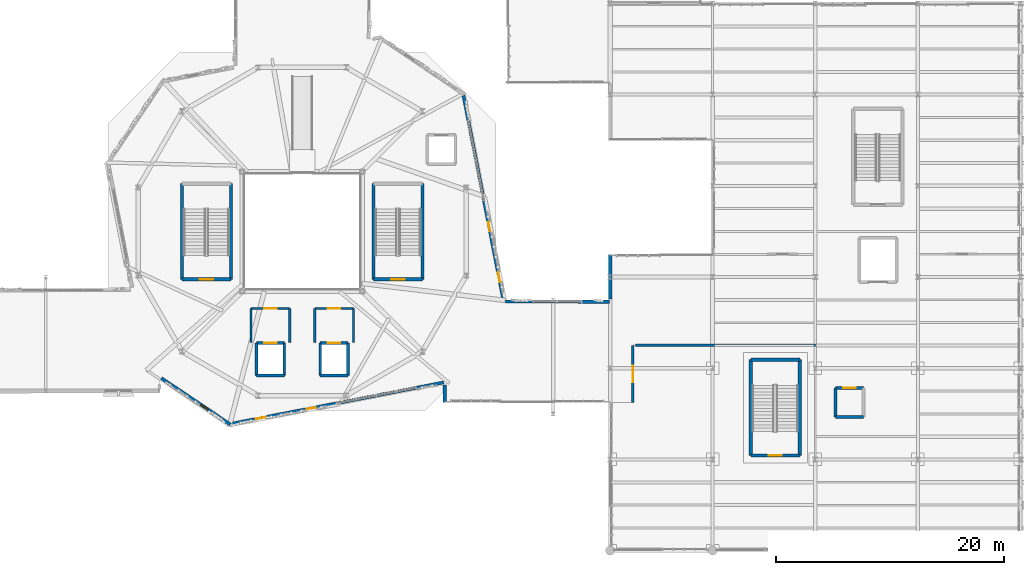
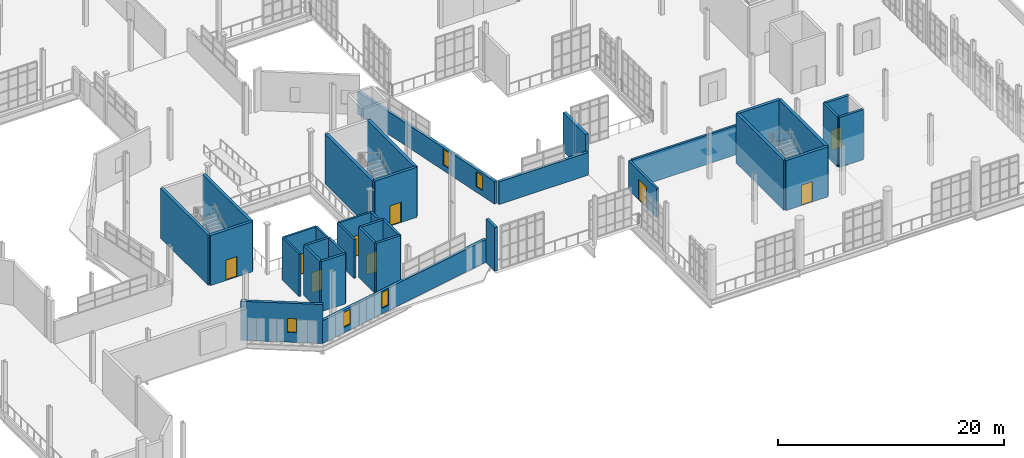
# One storey, part 123 of 142: 35 walls, 9 doors, 5 windows, 14 openings.
"""IFC4 building model written with IfcOpenShell, lengths in metres."""

from ifc_helpers import new_model, si_unit, direction, frame, frame_2d, origin, place, context, subcontext, project, spatial, rectangle, extrude, material, layer, layer_set, type_object, element, fill, save


model = new_model("IFC4")

# Units and contexts
model_context = context("Model", 3, precision=1e-05, world=origin(), true_north=direction((0.0, 1.0)))
body_context = subcontext(model_context, "Body", "Model", "MODEL_VIEW")
ifc_project = project(units=[si_unit("LENGTHUNIT", "METRE"), si_unit("AREAUNIT", "SQUARE_METRE"), si_unit("VOLUMEUNIT", "CUBIC_METRE"), si_unit("PLANEANGLEUNIT", "RADIAN"), si_unit("MASSUNIT", "GRAM", prefix="KILO"), si_unit("THERMODYNAMICTEMPERATUREUNIT", "KELVIN"), si_unit("POWERUNIT", "WATT")], contexts=[model_context])

# Site, building, storey
site_placement = place(None, origin())
site = spatial("IfcSite", under=ifc_project, at=site_placement, CompositionType="ELEMENT")
building_placement = place(site_placement, origin())
building = spatial("IfcBuilding", under=site, at=building_placement, Name="Zelmaris Science Centre", CompositionType="ELEMENT")
storey_placement = place(building_placement, frame((0.0, 0.0, 5.39990234375)))
storey = spatial("IfcBuildingStorey", under=building, at=storey_placement, Name="L01", CompositionType="ELEMENT", Elevation=5.39990234375)

# Wall, opening, door
ifc_material_1 = material(Name="Concrete C40/50", Category="concrete")
ifc_layer_1 = layer(ifc_material_1, 0.300048828125, Name="Concrete C40/50")
ifc_layer_set_1 = layer_set([ifc_layer_1], Name="Concrete C40/50")
wall_type_1 = type_object("IfcWallType", Name="Core Shear Wall CW-S1 300mm", PredefinedType="SOLIDWALL", material=ifc_layer_set_1)
wall_1_placement = place(storey_placement, frame((74.75, 31.800048828125, 0.0), z_axis=(0.0, 0.0, 1.0), x_axis=(-1.0, 0.0, 0.0)))
wall_1 = element("IfcWall", 1, at=wall_1_placement, inside=storey, type_object=wall_type_1, Name="L01 ST-1 core shear wall near", PredefinedType="SOLIDWALL", context=body_context, shape_type="SweptSolid", body=[
    extrude(rectangle(XDim=4.300048828125, YDim=0.300048828125, at=frame_2d((2.14990234375, 0.0))), origin(), (0.0, 0.0, 1.0), 5.400146484375),
])
opening_1_placement = place(wall_1_placement, frame((1.574951171875, 0.0, 0.0)))
opening_1 = element("IfcOpeningElement", 2, at=opening_1_placement, cuts=wall_1, Name="Opening D-FD90", PredefinedType="OPENING", context=body_context, shape_type="SweptSolid", body=[
    extrude(rectangle(XDim=1.14990234375, YDim=2.199951171875, at=frame_2d((0.574951171875, 1.10009765625))), frame((0.0, 0.159912109375, 0.0), z_axis=(0.0, -1.0, 0.0), x_axis=(1.0, 0.0, 0.0)), (0.0, 0.0, 1.0), 0.320068359375),
])
ifc_material_2 = material(Name="Steel ASTM A36", Category="steel")
door_type_1 = type_object("IfcDoorType", Name="Interior Door D-FD90 1150x2200", OperationType="NOTDEFINED", PredefinedType="DOOR", material=ifc_material_2)
door_1_placement = place(opening_1_placement, origin())
door_1 = element("IfcDoor", 3, at=door_1_placement, inside=storey, type_object=door_type_1, Name="L01 ST-1 exit stair fire door", OperationType="SINGLE_SWING_LEFT", OverallHeight=2.199951171875, OverallWidth=1.14990234375, PredefinedType="DOOR", context=body_context, shape_type="SweptSolid", body=[
    extrude(rectangle(XDim=1.14990234375, YDim=2.199951171875, at=frame_2d((0.574951171875, 1.10009765625))), frame((0.0, 0.02490234375, 0.0), z_axis=(0.0, -1.0, 0.0), x_axis=(1.0, 0.0, 0.0)), (0.0, 0.0, 1.0), 0.050048828125),
])
fill(opening_1, door_1)

# Walls
for number, where, z_axis, x_axis, name in (
    (4, (74.75, 31.800048828125, 0.0), (0.0, 0.0, 1.0), (0.0, 1.0, 0.0), "L01 ST-1 core shear wall east"),
    (5, (70.449951171875, 31.800048828125, 0.0), (0.0, 0.0, 1.0), (0.0, 1.0, 0.0), "L01 ST-1 core shear wall west"),
):
    element("IfcWall", number, at=place(storey_placement, frame(where, z_axis=z_axis, x_axis=x_axis)), inside=storey, type_object=wall_type_1, Name=name, PredefinedType="SOLIDWALL", context=body_context, shape_type="SweptSolid", body=[
        extrude(rectangle(XDim=8.39990234375, YDim=0.300048828125, at=frame_2d((4.199951171875, 0.0))), origin(), (0.0, 0.0, 1.0), 5.400146484375),
    ])

# Wall, opening, door
wall_2_placement = place(storey_placement, frame((91.550048828125, 31.800048828125, 0.0), z_axis=(0.0, 0.0, 1.0), x_axis=(-1.0, 0.0, 0.0)))
wall_2 = element("IfcWall", 6, at=wall_2_placement, inside=storey, type_object=wall_type_1, Name="L01 ST-2 core shear wall near", PredefinedType="SOLIDWALL", context=body_context, shape_type="SweptSolid", body=[
    extrude(rectangle(XDim=4.300048828125, YDim=0.300048828125, at=frame_2d((2.14990234375, 0.0))), origin(), (0.0, 0.0, 1.0), 5.400146484375),
])
opening_2_placement = place(wall_2_placement, frame((1.574951171875, 0.0, 0.0)))
opening_2 = element("IfcOpeningElement", 7, at=opening_2_placement, cuts=wall_2, Name="Opening D-FD90", PredefinedType="OPENING", context=body_context, shape_type="SweptSolid", body=[
    extrude(rectangle(XDim=1.14990234375, YDim=2.199951171875, at=frame_2d((0.574951171875, 1.10009765625))), frame((0.0, 0.159912109375, 0.0), z_axis=(0.0, -1.0, 0.0), x_axis=(1.0, 0.0, 0.0)), (0.0, 0.0, 1.0), 0.320068359375),
])
door_2_placement = place(opening_2_placement, origin())
door_2 = element("IfcDoor", 8, at=door_2_placement, inside=storey, type_object=door_type_1, Name="L01 ST-2 exit stair fire door", OperationType="SINGLE_SWING_RIGHT", OverallHeight=2.199951171875, OverallWidth=1.14990234375, PredefinedType="DOOR", context=body_context, shape_type="SweptSolid", body=[
    extrude(rectangle(XDim=1.14990234375, YDim=2.199951171875, at=frame_2d((0.574951171875, 1.10009765625))), frame((0.0, 0.02490234375, 0.0), z_axis=(0.0, -1.0, 0.0), x_axis=(1.0, 0.0, 0.0)), (0.0, 0.0, 1.0), 0.050048828125),
])
fill(opening_2, door_2)

# Walls
for number, where, z_axis, x_axis, name in (
    (9, (91.550048828125, 31.800048828125, 0.0), (0.0, 0.0, 1.0), (0.0, 1.0, 0.0), "L01 ST-2 core shear wall east"),
    (10, (87.25, 31.800048828125, 0.0), (0.0, 0.0, 1.0), (0.0, 1.0, 0.0), "L01 ST-2 core shear wall west"),
):
    element("IfcWall", number, at=place(storey_placement, frame(where, z_axis=z_axis, x_axis=x_axis)), inside=storey, type_object=wall_type_1, Name=name, PredefinedType="SOLIDWALL", context=body_context, shape_type="SweptSolid", body=[
        extrude(rectangle(XDim=8.39990234375, YDim=0.300048828125, at=frame_2d((4.199951171875, 0.0))), origin(), (0.0, 0.0, 1.0), 5.400146484375),
    ])

# Wall, opening, door
wall_3_placement = place(storey_placement, frame((124.64990234375, 16.35009765625, 0.0), z_axis=(0.0, 0.0, 1.0), x_axis=(-1.0, 0.0, 0.0)))
wall_3 = element("IfcWall", 11, at=wall_3_placement, inside=storey, type_object=wall_type_1, Name="L01 ST-4 core shear wall near", PredefinedType="SOLIDWALL", context=body_context, shape_type="SweptSolid", body=[
    extrude(rectangle(XDim=4.2998046875, YDim=0.300048828125, at=frame_2d((2.14990234375, 0.0))), origin(), (0.0, 0.0, 1.0), 5.400146484375),
])
opening_3_placement = place(wall_3_placement, frame((1.574951171875, 0.0, 0.0)))
opening_3 = element("IfcOpeningElement", 12, at=opening_3_placement, cuts=wall_3, Name="Opening D-FD90", PredefinedType="OPENING", context=body_context, shape_type="SweptSolid", body=[
    extrude(rectangle(XDim=1.14990234375, YDim=2.199951171875, at=frame_2d((0.574951171875, 1.10009765625))), frame((0.0, 0.159912109375, 0.0), z_axis=(0.0, -1.0, 0.0), x_axis=(1.0, 0.0, 0.0)), (0.0, 0.0, 1.0), 0.320068359375),
])
door_3_placement = place(opening_3_placement, origin())
door_3 = element("IfcDoor", 13, at=door_3_placement, inside=storey, type_object=door_type_1, Name="L01 ST-4 exit stair fire door", OperationType="SINGLE_SWING_RIGHT", OverallHeight=2.199951171875, OverallWidth=1.14990234375, PredefinedType="DOOR", context=body_context, shape_type="SweptSolid", body=[
    extrude(rectangle(XDim=1.14990234375, YDim=2.199951171875, at=frame_2d((0.574951171875, 1.10009765625))), frame((0.0, 0.02490234375, 0.0), z_axis=(0.0, -1.0, 0.0), x_axis=(1.0, 0.0, 0.0)), (0.0, 0.0, 1.0), 0.050048828125),
])
fill(opening_3, door_3)

# Walls
wall_4_placement = place(storey_placement, frame((124.64990234375, 16.35009765625, 0.0), z_axis=(0.0, 0.0, 1.0), x_axis=(0.0, 1.0, 0.0)))
element("IfcWall", 14, at=wall_4_placement, inside=storey, type_object=wall_type_1, Name="L01 ST-4 core shear wall east", PredefinedType="SOLIDWALL", context=body_context, shape_type="SweptSolid", body=[
    extrude(rectangle(XDim=8.39990234375, YDim=0.300048828125, at=frame_2d((4.199951171875, 0.0))), origin(), (0.0, 0.0, 1.0), 5.400146484375),
])
wall_5_placement = place(storey_placement, frame((124.64990234375, 24.75, 0.0), z_axis=(0.0, 0.0, 1.0), x_axis=(-1.0, 0.0, 0.0)))
element("IfcWall", 15, at=wall_5_placement, inside=storey, type_object=wall_type_1, Name="L01 ST-4 core shear wall far", PredefinedType="SOLIDWALL", context=body_context, shape_type="SweptSolid", body=[
    extrude(rectangle(XDim=4.2998046875, YDim=0.300048828125, at=frame_2d((2.14990234375, 0.0))), origin(), (0.0, 0.0, 1.0), 5.400146484375),
])
wall_6_placement = place(storey_placement, frame((120.35009765625, 16.35009765625, 0.0), z_axis=(0.0, 0.0, 1.0), x_axis=(0.0, 1.0, 0.0)))
element("IfcWall", 16, at=wall_6_placement, inside=storey, type_object=wall_type_1, Name="L01 ST-4 core shear wall west", PredefinedType="SOLIDWALL", context=body_context, shape_type="SweptSolid", body=[
    extrude(rectangle(XDim=8.39990234375, YDim=0.300048828125, at=frame_2d((4.199951171875, 0.0))), origin(), (0.0, 0.0, 1.0), 5.400146484375),
])
ifc_layer_2 = layer(ifc_material_1, 0.25, Name="Concrete C40/50")
ifc_layer_set_2 = layer_set([ifc_layer_2], Name="Concrete C40/50")
wall_type_2 = type_object("IfcWallType", Name="Core Shear Wall CW-S2 250mm", PredefinedType="SOLIDWALL", material=ifc_layer_set_2)
wall_7_placement = place(storey_placement, frame((76.97509765625, 23.375, 0.0), z_axis=(0.0, 0.0, 1.0), x_axis=(1.0, 0.0, 0.0)))
element("IfcWall", 17, at=wall_7_placement, inside=storey, type_object=wall_type_2, Name="L01 FL-01 lift shaft wall -y", PredefinedType="SOLIDWALL", context=body_context, shape_type="SweptSolid", body=[
    extrude(rectangle(XDim=2.449951171875, YDim=0.25, at=frame_2d((1.22509765625, 0.0))), origin(), (0.0, 0.0, 1.0), 5.400146484375),
])
wall_8_placement = place(storey_placement, frame((79.425048828125, 23.375, 0.0), z_axis=(0.0, 0.0, 1.0), x_axis=(0.0, 1.0, 0.0)))
element("IfcWall", 18, at=wall_8_placement, inside=storey, type_object=wall_type_2, Name="L01 FL-01 lift shaft wall +x", PredefinedType="SOLIDWALL", context=body_context, shape_type="SweptSolid", body=[
    extrude(rectangle(XDim=2.85009765625, YDim=0.25, at=frame_2d((1.425048828125, 0.0))), origin(), (0.0, 0.0, 1.0), 5.400146484375),
])

# Wall, opening, door
wall_9_placement = place(storey_placement, frame((79.425048828125, 26.22509765625, 0.0), z_axis=(0.0, 0.0, 1.0), x_axis=(-1.0, 0.0, 0.0)))
wall_9 = element("IfcWall", 19, at=wall_9_placement, inside=storey, type_object=wall_type_2, Name="L01 FL-01 lift shaft wall +y", PredefinedType="SOLIDWALL", context=body_context, shape_type="SweptSolid", body=[
    extrude(rectangle(XDim=2.449951171875, YDim=0.25, at=frame_2d((1.22509765625, 0.0))), origin(), (0.0, 0.0, 1.0), 5.400146484375),
])
opening_4_placement = place(wall_9_placement, frame((0.675048828125, 0.0, 0.0)))
opening_4 = element("IfcOpeningElement", 20, at=opening_4_placement, cuts=wall_9, Name="Opening LD-01", PredefinedType="OPENING", context=body_context, shape_type="SweptSolid", body=[
    extrude(rectangle(XDim=1.10009765625, YDim=2.199951171875, at=frame_2d((0.550048828125, 1.10009765625))), frame((0.0, 0.135009765625, 0.0), z_axis=(0.0, -1.0, 0.0), x_axis=(1.0, 0.0, 0.0)), (0.0, 0.0, 1.0), 0.27001953125),
])
door_type_2 = type_object("IfcDoorType", Name="Interior Door LD-01 1100x2200", OperationType="SLIDING_TO_LEFT", PredefinedType="DOOR", material=ifc_material_2)
door_4_placement = place(opening_4_placement, origin())
door_4 = element("IfcDoor", 21, at=door_4_placement, inside=storey, type_object=door_type_2, Name="Landing door LD-FL-01-L01", OperationType="SLIDING_TO_LEFT", OverallHeight=2.199951171875, OverallWidth=1.10009765625, PredefinedType="DOOR", context=body_context, shape_type="SweptSolid", body=[
    extrude(rectangle(XDim=1.10009765625, YDim=2.199951171875, at=frame_2d((0.550048828125, 1.10009765625))), frame((0.0, 0.02490234375, 0.0), z_axis=(0.0, -1.0, 0.0), x_axis=(1.0, 0.0, 0.0)), (0.0, 0.0, 1.0), 0.050048828125),
])
fill(opening_4, door_4)

# Walls
wall_10_placement = place(storey_placement, frame((76.97509765625, 26.22509765625, 0.0), z_axis=(0.0, 0.0, 1.0), x_axis=(0.0, -1.0, 0.0)))
element("IfcWall", 22, at=wall_10_placement, inside=storey, type_object=wall_type_2, Name="L01 FL-01 lift shaft wall -x", PredefinedType="SOLIDWALL", context=body_context, shape_type="SweptSolid", body=[
    extrude(rectangle(XDim=2.85009765625, YDim=0.25, at=frame_2d((1.425048828125, 0.0))), origin(), (0.0, 0.0, 1.0), 5.400146484375),
])
wall_11_placement = place(storey_placement, frame((82.574951171875, 23.375, 0.0), z_axis=(0.0, 0.0, 1.0), x_axis=(1.0, 0.0, 0.0)))
element("IfcWall", 23, at=wall_11_placement, inside=storey, type_object=wall_type_2, Name="L01 FL-02 lift shaft wall -y", PredefinedType="SOLIDWALL", context=body_context, shape_type="SweptSolid", body=[
    extrude(rectangle(XDim=2.449951171875, YDim=0.25, at=frame_2d((1.22509765625, 0.0))), origin(), (0.0, 0.0, 1.0), 5.400146484375),
])
wall_12_placement = place(storey_placement, frame((85.02490234375, 23.375, 0.0), z_axis=(0.0, 0.0, 1.0), x_axis=(0.0, 1.0, 0.0)))
element("IfcWall", 24, at=wall_12_placement, inside=storey, type_object=wall_type_2, Name="L01 FL-02 lift shaft wall +x", PredefinedType="SOLIDWALL", context=body_context, shape_type="SweptSolid", body=[
    extrude(rectangle(XDim=2.85009765625, YDim=0.25, at=frame_2d((1.425048828125, 0.0))), origin(), (0.0, 0.0, 1.0), 5.400146484375),
])

# Wall, opening, door
wall_13_placement = place(storey_placement, frame((85.02490234375, 26.22509765625, 0.0), z_axis=(0.0, 0.0, 1.0), x_axis=(-1.0, 0.0, 0.0)))
wall_13 = element("IfcWall", 25, at=wall_13_placement, inside=storey, type_object=wall_type_2, Name="L01 FL-02 lift shaft wall +y", PredefinedType="SOLIDWALL", context=body_context, shape_type="SweptSolid", body=[
    extrude(rectangle(XDim=2.449951171875, YDim=0.25, at=frame_2d((1.22509765625, 0.0))), origin(), (0.0, 0.0, 1.0), 5.400146484375),
])
opening_5_placement = place(wall_13_placement, frame((0.675048828125, 0.0, 0.0)))
opening_5 = element("IfcOpeningElement", 26, at=opening_5_placement, cuts=wall_13, Name="Opening LD-01", PredefinedType="OPENING", context=body_context, shape_type="SweptSolid", body=[
    extrude(rectangle(XDim=1.10009765625, YDim=2.199951171875, at=frame_2d((0.550048828125, 1.10009765625))), frame((0.0, 0.135009765625, 0.0), z_axis=(0.0, -1.0, 0.0), x_axis=(1.0, 0.0, 0.0)), (0.0, 0.0, 1.0), 0.27001953125),
])
door_5_placement = place(opening_5_placement, origin())
door_5 = element("IfcDoor", 27, at=door_5_placement, inside=storey, type_object=door_type_2, Name="Landing door LD-FL-02-L01", OperationType="SLIDING_TO_LEFT", OverallHeight=2.199951171875, OverallWidth=1.10009765625, PredefinedType="DOOR", context=body_context, shape_type="SweptSolid", body=[
    extrude(rectangle(XDim=1.10009765625, YDim=2.199951171875, at=frame_2d((0.550048828125, 1.10009765625))), frame((0.0, 0.02490234375, 0.0), z_axis=(0.0, -1.0, 0.0), x_axis=(1.0, 0.0, 0.0)), (0.0, 0.0, 1.0), 0.050048828125),
])
fill(opening_5, door_5)

# Walls
wall_14_placement = place(storey_placement, frame((82.574951171875, 26.22509765625, 0.0), z_axis=(0.0, 0.0, 1.0), x_axis=(0.0, -1.0, 0.0)))
element("IfcWall", 28, at=wall_14_placement, inside=storey, type_object=wall_type_2, Name="L01 FL-02 lift shaft wall -x", PredefinedType="SOLIDWALL", context=body_context, shape_type="SweptSolid", body=[
    extrude(rectangle(XDim=2.85009765625, YDim=0.25, at=frame_2d((1.425048828125, 0.0))), origin(), (0.0, 0.0, 1.0), 5.400146484375),
])
wall_15_placement = place(storey_placement, frame((127.77490234375, 19.72509765625, 0.0), z_axis=(0.0, 0.0, 1.0), x_axis=(1.0, 0.0, 0.0)))
element("IfcWall", 29, at=wall_15_placement, inside=storey, type_object=wall_type_2, Name="L01 LP-02 lift shaft wall -y", PredefinedType="SOLIDWALL", context=body_context, shape_type="SweptSolid", body=[
    extrude(rectangle(XDim=2.4501953125, YDim=0.25, at=frame_2d((1.22509765625, 0.0))), origin(), (0.0, 0.0, 1.0), 5.400146484375),
])

# Wall, opening, door
wall_16_placement = place(storey_placement, frame((130.22509765625, 22.27490234375, 0.0), z_axis=(0.0, 0.0, 1.0), x_axis=(-1.0, 0.0, 0.0)))
wall_16 = element("IfcWall", 30, at=wall_16_placement, inside=storey, type_object=wall_type_2, Name="L01 LP-02 lift shaft wall +y", PredefinedType="SOLIDWALL", context=body_context, shape_type="SweptSolid", body=[
    extrude(rectangle(XDim=2.4501953125, YDim=0.25, at=frame_2d((1.22509765625, 0.0))), origin(), (0.0, 0.0, 1.0), 5.400146484375),
])
opening_6_placement = place(wall_16_placement, frame((0.675048828125, 0.0, 0.0)))
opening_6 = element("IfcOpeningElement", 31, at=opening_6_placement, cuts=wall_16, Name="Opening LD-01", PredefinedType="OPENING", context=body_context, shape_type="SweptSolid", body=[
    extrude(rectangle(XDim=1.10009765625, YDim=2.199951171875, at=frame_2d((0.550048828125, 1.10009765625))), frame((0.0, 0.135009765625, 0.0), z_axis=(0.0, -1.0, 0.0), x_axis=(1.0, 0.0, 0.0)), (0.0, 0.0, 1.0), 0.27001953125),
])
door_6_placement = place(opening_6_placement, origin())
door_6 = element("IfcDoor", 32, at=door_6_placement, inside=storey, type_object=door_type_2, Name="Landing door LD-LP-02-L01", OperationType="SLIDING_TO_LEFT", OverallHeight=2.199951171875, OverallWidth=1.10009765625, PredefinedType="DOOR", context=body_context, shape_type="SweptSolid", body=[
    extrude(rectangle(XDim=1.10009765625, YDim=2.199951171875, at=frame_2d((0.550048828125, 1.10009765625))), frame((0.0, 0.02490234375, 0.0), z_axis=(0.0, -1.0, 0.0), x_axis=(1.0, 0.0, 0.0)), (0.0, 0.0, 1.0), 0.050048828125),
])
fill(opening_6, door_6)

# Walls
wall_17_placement = place(storey_placement, frame((127.77490234375, 22.27490234375, 0.0), z_axis=(0.0, 0.0, 1.0), x_axis=(0.0, -1.0, 0.0)))
element("IfcWall", 33, at=wall_17_placement, inside=storey, type_object=wall_type_2, Name="L01 LP-02 lift shaft wall -x", PredefinedType="SOLIDWALL", context=body_context, shape_type="SweptSolid", body=[
    extrude(rectangle(XDim=2.5498046875, YDim=0.25, at=frame_2d((1.27490234375, 0.0))), origin(), (0.0, 0.0, 1.0), 5.400146484375),
])
ifc_material_3 = material(Name="Precast concrete C40/50", Category="concrete")
ifc_layer_3 = layer(ifc_material_3, 0.300048828125, Name="Precast concrete C40/50")
ifc_layer_set_3 = layer_set([ifc_layer_3], Name="Precast concrete C40/50")
wall_type_3 = type_object("IfcWallType", Name="Exterior Wall EW-04 300mm", PredefinedType="SOLIDWALL", material=ifc_layer_set_3)
wall_18_placement = place(storey_placement, frame((108.0, 30.06005859375, 0.0), z_axis=(0.0, 0.0, 1.0), x_axis=(0.0, 1.0, 0.0)))
element("IfcWall", 34, at=wall_18_placement, inside=storey, type_object=wall_type_3, Name="L01 Exterior wall 59", PredefinedType="SOLIDWALL", context=body_context, shape_type="SweptSolid", body=[
    extrude(rectangle(XDim=3.93994140625, YDim=0.300048828125, at=frame_2d((1.969970703125, 0.0))), origin(), (0.0, 0.0, 1.0), 4.2041015625),
])

# Wall, openings, windows
ifc_layer_4 = layer(ifc_material_3, 0.280029296875, Name="Precast concrete C40/50")
ifc_layer_set_4 = layer_set([ifc_layer_4], Name="Precast concrete C40/50")
wall_type_4 = type_object("IfcWallType", Name="Exterior Wall EW-05 280mm", PredefinedType="SOLIDWALL", material=ifc_layer_set_4)
wall_19_placement = place(storey_placement, frame((93.40380859375, 22.7509765625, 0.0), z_axis=(0.0, 0.0, 1.0), x_axis=(-0.981629234006, -0.190798445867, 0.0)))
wall_19 = element("IfcWall", 35, at=wall_19_placement, inside=storey, type_object=wall_type_4, Name="L01 Exterior wall 48", PredefinedType="SOLIDWALL", context=body_context, shape_type="SweptSolid", body=[
    extrude(rectangle(XDim=19.17822265625, YDim=0.280029296875, at=frame_2d((9.589111328125, 0.0))), origin(), (0.0, 0.0, 1.0), 2.4501953125),
])
opening_7_placement = place(wall_19_placement, frame((11.439208984375, 0.0, 0.60009765625)))
opening_7 = element("IfcOpeningElement", 36, at=opening_7_placement, cuts=wall_19, Name="Opening W-TR2", PredefinedType="OPENING", context=body_context, shape_type="SweptSolid", body=[
    extrude(rectangle(XDim=0.800048828125, YDim=1.699951171875, at=frame_2d((0.39990234375, 0.85009765625))), frame((0.0, 0.14990234375, 0.0), z_axis=(0.0, -1.0, 0.0), x_axis=(1.0, 0.0, 0.0)), (0.0, 0.0, 1.0), 0.300048828125),
])
opening_8_placement = place(wall_19_placement, frame((15.914306640625, 0.0, 0.60009765625)))
opening_8 = element("IfcOpeningElement", 37, at=opening_8_placement, cuts=wall_19, Name="Opening W-TR3", PredefinedType="OPENING", context=body_context, shape_type="SweptSolid", body=[
    extrude(rectangle(XDim=0.85009765625, YDim=1.60009765625, at=frame_2d((0.425048828125, 0.800048828125))), frame((0.0, 0.14990234375, 0.0), z_axis=(0.0, -1.0, 0.0), x_axis=(1.0, 0.0, 0.0)), (0.0, 0.0, 1.0), 0.300048828125),
])
ifc_material_4 = material(Name="Laminated hurricane-rated low-E insulated glazing", Category="glass")
window_type_1 = type_object("IfcWindowType", Name="Window W-TR2 800x1700", PartitioningType="SINGLE_PANEL", PredefinedType="WINDOW", material=ifc_material_4)
window_1_placement = place(opening_7_placement, origin())
window_1 = element("IfcWindow", 38, at=window_1_placement, inside=storey, type_object=window_type_1, Name="L01 Triangular faceted window 14", OverallHeight=1.699951171875, OverallWidth=0.800048828125, PartitioningType="SINGLE_PANEL", PredefinedType="WINDOW", context=body_context, shape_type="SweptSolid", body=[
    extrude(rectangle(XDim=0.800048828125, YDim=1.699951171875, at=frame_2d((0.39990234375, 0.85009765625))), frame((0.0, 0.030029296875, 0.0), z_axis=(0.0, -1.0, 0.0), x_axis=(1.0, 0.0, 0.0)), (0.0, 0.0, 1.0), 0.06005859375),
])
fill(opening_7, window_1)
window_type_2 = type_object("IfcWindowType", Name="Window W-TR3 850x1600", PartitioningType="SINGLE_PANEL", PredefinedType="WINDOW", material=ifc_material_4)
window_2_placement = place(opening_8_placement, origin())
window_2 = element("IfcWindow", 39, at=window_2_placement, inside=storey, type_object=window_type_2, Name="L01 Triangular faceted window 15", OverallHeight=1.60009765625, OverallWidth=0.85009765625, PartitioningType="SINGLE_PANEL", PredefinedType="WINDOW", context=body_context, shape_type="SweptSolid", body=[
    extrude(rectangle(XDim=0.85009765625, YDim=1.60009765625, at=frame_2d((0.425048828125, 0.800048828125))), frame((0.0, 0.030029296875, 0.0), z_axis=(0.0, -1.0, 0.0), x_axis=(1.0, 0.0, 0.0)), (0.0, 0.0, 1.0), 0.06005859375),
])
fill(opening_8, window_2)

# Wall, opening, window
wall_20_placement = place(storey_placement, frame((74.697509765625, 19.0673828125, 0.0), z_axis=(0.0, 0.0, 1.0), x_axis=(-0.829822511701, 0.558027417851, 0.0)))
wall_20 = element("IfcWall", 40, at=wall_20_placement, inside=storey, type_object=wall_type_4, Name="L01 Exterior wall 49", PredefinedType="SOLIDWALL", context=body_context, shape_type="SweptSolid", body=[
    extrude(rectangle(XDim=7.288330078125, YDim=0.280029296875, at=frame_2d((3.64404296875, 0.0))), origin(), (0.0, 0.0, 1.0), 4.208984375),
])
opening_9_placement = place(wall_20_placement, frame((2.34423828125, 0.0, 1.050048828125)))
opening_9 = element("IfcOpeningElement", 41, at=opening_9_placement, cuts=wall_20, Name="Opening W-TR1", PredefinedType="OPENING", context=body_context, shape_type="SweptSolid", body=[
    extrude(rectangle(XDim=0.800048828125, YDim=1.5, at=frame_2d((0.39990234375, 0.75))), frame((0.0, 0.14990234375, 0.0), z_axis=(0.0, -1.0, 0.0), x_axis=(1.0, 0.0, 0.0)), (0.0, 0.0, 1.0), 0.300048828125),
])
window_type_3 = type_object("IfcWindowType", Name="Window W-TR1 800x1500", PartitioningType="SINGLE_PANEL", PredefinedType="WINDOW", material=ifc_material_4)
window_3_placement = place(opening_9_placement, origin())
window_3 = element("IfcWindow", 42, at=window_3_placement, inside=storey, type_object=window_type_3, Name="L01 Triangular faceted window 16", OverallHeight=1.5, OverallWidth=0.800048828125, PartitioningType="SINGLE_PANEL", PredefinedType="WINDOW", context=body_context, shape_type="SweptSolid", body=[
    extrude(rectangle(XDim=0.800048828125, YDim=1.5, at=frame_2d((0.39990234375, 0.75))), frame((0.0, 0.030029296875, 0.0), z_axis=(0.0, -1.0, 0.0), x_axis=(1.0, 0.0, 0.0)), (0.0, 0.0, 1.0), 0.06005859375),
])
fill(opening_9, window_3)

# Wall, openings, windows
wall_21_placement = place(storey_placement, frame((95.103759765625, 48.131591796875, 0.0), z_axis=(0.0, 0.0, 1.0), x_axis=(0.191745445275, -0.981444692388, 0.0)))
wall_21 = element("IfcWall", 43, at=wall_21_placement, inside=storey, type_object=wall_type_4, Name="L01 Exterior wall 57", PredefinedType="SOLIDWALL", context=body_context, shape_type="SweptSolid", body=[
    extrude(rectangle(XDim=18.495361328125, YDim=0.280029296875, at=frame_2d((9.24755859375, 0.0))), origin(), (0.0, 0.0, 1.0), 2.4501953125),
])
opening_10_placement = place(wall_21_placement, frame((11.547607421875, 0.0, 0.60009765625)))
opening_10 = element("IfcOpeningElement", 44, at=opening_10_placement, cuts=wall_21, Name="Opening W-TR2", PredefinedType="OPENING", context=body_context, shape_type="SweptSolid", body=[
    extrude(rectangle(XDim=0.800048828125, YDim=1.699951171875, at=frame_2d((0.39990234375, 0.85009765625))), frame((0.0, 0.14990234375, 0.0), z_axis=(0.0, -1.0, 0.0), x_axis=(1.0, 0.0, 0.0)), (0.0, 0.0, 1.0), 0.300048828125),
])
opening_11_placement = place(wall_21_placement, frame((16.022705078125, 0.0, 0.60009765625)))
opening_11 = element("IfcOpeningElement", 45, at=opening_11_placement, cuts=wall_21, Name="Opening W-TR3", PredefinedType="OPENING", context=body_context, shape_type="SweptSolid", body=[
    extrude(rectangle(XDim=0.85009765625, YDim=1.60009765625, at=frame_2d((0.425048828125, 0.800048828125))), frame((0.0, 0.14990234375, 0.0), z_axis=(0.0, -1.0, 0.0), x_axis=(1.0, 0.0, 0.0)), (0.0, 0.0, 1.0), 0.300048828125),
])
window_4_placement = place(opening_10_placement, origin())
window_4 = element("IfcWindow", 46, at=window_4_placement, inside=storey, type_object=window_type_1, Name="L01 Triangular faceted window 20", OverallHeight=1.699951171875, OverallWidth=0.800048828125, PartitioningType="SINGLE_PANEL", PredefinedType="WINDOW", context=body_context, shape_type="SweptSolid", body=[
    extrude(rectangle(XDim=0.800048828125, YDim=1.699951171875, at=frame_2d((0.39990234375, 0.85009765625))), frame((0.0, 0.030029296875, 0.0), z_axis=(0.0, -1.0, 0.0), x_axis=(1.0, 0.0, 0.0)), (0.0, 0.0, 1.0), 0.06005859375),
])
fill(opening_10, window_4)
window_5_placement = place(opening_11_placement, origin())
window_5 = element("IfcWindow", 47, at=window_5_placement, inside=storey, type_object=window_type_2, Name="L01 Triangular faceted window 21", OverallHeight=1.60009765625, OverallWidth=0.85009765625, PartitioningType="SINGLE_PANEL", PredefinedType="WINDOW", context=body_context, shape_type="SweptSolid", body=[
    extrude(rectangle(XDim=0.85009765625, YDim=1.60009765625, at=frame_2d((0.425048828125, 0.800048828125))), frame((0.0, 0.030029296875, 0.0), z_axis=(0.0, -1.0, 0.0), x_axis=(1.0, 0.0, 0.0)), (0.0, 0.0, 1.0), 0.06005859375),
])
fill(opening_11, window_5)

# Walls
wall_22_placement = place(storey_placement, frame((98.80712890625, 29.85009765625, 0.0), z_axis=(0.0, 0.0, 1.0), x_axis=(0.999999538092, -0.00096115294, 0.0)))
element("IfcWall", 48, at=wall_22_placement, inside=storey, type_object=wall_type_4, Name="L01 Exterior wall 58", PredefinedType="SOLIDWALL", context=body_context, shape_type="SweptSolid", body=[
    extrude(rectangle(XDim=9.144287109375, YDim=0.280029296875, at=frame_2d((4.572265625, 0.0))), origin(), (0.0, 0.0, 1.0), 2.4501953125),
])
ifc_layer_5 = layer(ifc_material_3, 0.2900390625, Name="Precast concrete C40/50")
ifc_layer_set_5 = layer_set([ifc_layer_5], Name="Precast concrete C40/50")
wall_type_5 = type_object("IfcWallType", Name="Exterior Wall EW-09 290mm", PredefinedType="SOLIDWALL", material=ifc_layer_set_5)
wall_23_placement = place(storey_placement, frame((93.5, 21.0, 0.0), z_axis=(0.0, 0.0, 1.0), x_axis=(0.0, 1.0, 0.0)))
element("IfcWall", 49, at=wall_23_placement, inside=storey, type_object=wall_type_5, Name="L01 Exterior wall 47", PredefinedType="SOLIDWALL", context=body_context, shape_type="SweptSolid", body=[
    extrude(rectangle(XDim=1.5341796875, YDim=0.2900390625, at=frame_2d((0.76708984375, 0.0))), origin(), (0.0, 0.0, 1.0), 4.72021484375),
])
ifc_material_5 = material(Name="Autoclaved aerated concrete blockwork", Category="masonry")
ifc_layer_6 = layer(ifc_material_5, 0.199951171875, Name="Autoclaved aerated concrete blockwork")
ifc_layer_set_6 = layer_set([ifc_layer_6], Name="Autoclaved aerated concrete blockwork")
wall_type_6 = type_object("IfcWallType", Name="Interior Wall FW-01 200mm", PredefinedType="SOLIDWALL", material=ifc_layer_set_6)
for number, where, z_axis, x_axis, name in (
    (50, (76.5, 26.25, 0.0), (0.0, 0.0, 1.0), (0.0, 1.0, 0.0), "L01 Firefighting Lobby FL-01 wall W"),
    (51, (79.89990234375, 26.25, 0.0), (0.0, 0.0, 1.0), (0.0, 1.0, 0.0), "L01 Firefighting Lobby FL-01 wall E"),
):
    element("IfcWall", number, at=place(storey_placement, frame(where, z_axis=z_axis, x_axis=x_axis)), inside=storey, type_object=wall_type_6, Name=name, PredefinedType="SOLIDWALL", context=body_context, shape_type="SweptSolid", body=[
        extrude(rectangle(XDim=3.0, YDim=0.199951171875, at=frame_2d((1.5, 0.0))), origin(), (0.0, 0.0, 1.0), 4.590087890625),
    ])

# Wall, opening, door
wall_24_placement = place(storey_placement, frame((76.5, 29.25, 0.0), z_axis=(0.0, 0.0, 1.0), x_axis=(1.0, 0.0, 0.0)))
wall_24 = element("IfcWall", 52, at=wall_24_placement, inside=storey, type_object=wall_type_6, Name="L01 Firefighting Lobby FL-01 wall N", PredefinedType="SOLIDWALL", context=body_context, shape_type="SweptSolid", body=[
    extrude(rectangle(XDim=3.39990234375, YDim=0.199951171875, at=frame_2d((1.699951171875, 0.0))), origin(), (0.0, 0.0, 1.0), 4.590087890625),
])
opening_12_placement = place(wall_24_placement, frame((1.14990234375, 0.0, 0.0)))
opening_12 = element("IfcOpeningElement", 53, at=opening_12_placement, cuts=wall_24, Name="Opening D-FD60", PredefinedType="OPENING", context=body_context, shape_type="SweptSolid", body=[
    extrude(rectangle(XDim=1.10009765625, YDim=2.199951171875, at=frame_2d((0.550048828125, 1.10009765625))), frame((0.0, 0.10986328125, 0.0), z_axis=(0.0, -1.0, 0.0), x_axis=(1.0, 0.0, 0.0)), (0.0, 0.0, 1.0), 0.219970703125),
])
door_type_3 = type_object("IfcDoorType", Name="Interior Door D-FD60 1100x2200", OperationType="NOTDEFINED", PredefinedType="DOOR", material=ifc_material_2)
door_7_placement = place(opening_12_placement, origin())
door_7 = element("IfcDoor", 54, at=door_7_placement, inside=storey, type_object=door_type_3, Name="L01 Firefighting Lobby FL-01 fire door", OperationType="SINGLE_SWING_LEFT", OverallHeight=2.199951171875, OverallWidth=1.10009765625, PredefinedType="DOOR", context=body_context, shape_type="SweptSolid", body=[
    extrude(rectangle(XDim=1.10009765625, YDim=2.199951171875, at=frame_2d((0.550048828125, 1.10009765625))), frame((0.0, 0.02490234375, 0.0), z_axis=(0.0, -1.0, 0.0), x_axis=(1.0, 0.0, 0.0)), (0.0, 0.0, 1.0), 0.050048828125),
])
fill(opening_12, door_7)

# Walls
wall_25_placement = place(storey_placement, frame((82.10009765625, 26.25, 0.0), z_axis=(0.0, 0.0, 1.0), x_axis=(0.0, 1.0, 0.0)))
element("IfcWall", 55, at=wall_25_placement, inside=storey, type_object=wall_type_6, Name="L01 Firefighting Lobby FL-02 wall W", PredefinedType="SOLIDWALL", context=body_context, shape_type="SweptSolid", body=[
    extrude(rectangle(XDim=3.0, YDim=0.199951171875, at=frame_2d((1.5, 0.0))), origin(), (0.0, 0.0, 1.0), 4.2041015625),
])
wall_26_placement = place(storey_placement, frame((85.5, 26.25, 0.0), z_axis=(0.0, 0.0, 1.0), x_axis=(0.0, 1.0, 0.0)))
element("IfcWall", 56, at=wall_26_placement, inside=storey, type_object=wall_type_6, Name="L01 Firefighting Lobby FL-02 wall E", PredefinedType="SOLIDWALL", context=body_context, shape_type="SweptSolid", body=[
    extrude(rectangle(XDim=3.0, YDim=0.199951171875, at=frame_2d((1.5, 0.0))), origin(), (0.0, 0.0, 1.0), 4.214111328125),
])

# Wall, opening, door
wall_27_placement = place(storey_placement, frame((82.10009765625, 29.25, 0.0), z_axis=(0.0, 0.0, 1.0), x_axis=(1.0, 0.0, 0.0)))
wall_27 = element("IfcWall", 57, at=wall_27_placement, inside=storey, type_object=wall_type_6, Name="L01 Firefighting Lobby FL-02 wall N", PredefinedType="SOLIDWALL", context=body_context, shape_type="SweptSolid", body=[
    extrude(rectangle(XDim=3.39990234375, YDim=0.199951171875, at=frame_2d((1.699951171875, 0.0))), origin(), (0.0, 0.0, 1.0), 4.2041015625),
])
opening_13_placement = place(wall_27_placement, frame((1.14990234375, 0.0, 0.0)))
opening_13 = element("IfcOpeningElement", 58, at=opening_13_placement, cuts=wall_27, Name="Opening D-FD60", PredefinedType="OPENING", context=body_context, shape_type="SweptSolid", body=[
    extrude(rectangle(XDim=1.10009765625, YDim=2.199951171875, at=frame_2d((0.550048828125, 1.10009765625))), frame((0.0, 0.10986328125, 0.0), z_axis=(0.0, -1.0, 0.0), x_axis=(1.0, 0.0, 0.0)), (0.0, 0.0, 1.0), 0.219970703125),
])
door_8_placement = place(opening_13_placement, origin())
door_8 = element("IfcDoor", 59, at=door_8_placement, inside=storey, type_object=door_type_3, Name="L01 Firefighting Lobby FL-02 fire door", OperationType="SINGLE_SWING_RIGHT", OverallHeight=2.199951171875, OverallWidth=1.10009765625, PredefinedType="DOOR", context=body_context, shape_type="SweptSolid", body=[
    extrude(rectangle(XDim=1.10009765625, YDim=2.199951171875, at=frame_2d((0.550048828125, 1.10009765625))), frame((0.0, 0.02490234375, 0.0), z_axis=(0.0, -1.0, 0.0), x_axis=(1.0, 0.0, 0.0)), (0.0, 0.0, 1.0), 0.050048828125),
])
fill(opening_13, door_8)

ifc_layer_7 = layer(ifc_material_5, 0.219970703125, Name="Autoclaved aerated concrete blockwork")
ifc_layer_set_7 = layer_set([ifc_layer_7], Name="Autoclaved aerated concrete blockwork")
wall_type_7 = type_object("IfcWallType", Name="Interior Wall FW-02 220mm", PredefinedType="SOLIDWALL", material=ifc_layer_set_7)
wall_28_placement = place(storey_placement, frame((110.0048828125, 20.99853515625, 0.0), z_axis=(0.0, 0.0, 1.0), x_axis=(0.0, 1.0, 0.0)))
wall_28 = element("IfcWall", 60, at=wall_28_placement, inside=storey, type_object=wall_type_7, Name="L01 Marine Biology Wet Laboratory partition 41", PredefinedType="SOLIDWALL", context=body_context, shape_type="SweptSolid", body=[
    extrude(rectangle(XDim=5.00146484375, YDim=0.219970703125, at=frame_2d((2.500732421875, 0.0))), origin(), (0.0, 0.0, 1.0), 3.150146484375),
])
opening_14_placement = place(wall_28_placement, frame((1.77587890625, 0.0, 0.0)))
opening_14 = element("IfcOpeningElement", 61, at=opening_14_placement, cuts=wall_28, Name="Opening D-IN13", PredefinedType="OPENING", context=body_context, shape_type="SweptSolid", body=[
    extrude(rectangle(XDim=1.449951171875, YDim=2.199951171875, at=frame_2d((0.72509765625, 1.10009765625))), frame((0.0, 0.119873046875, 0.0), z_axis=(0.0, -1.0, 0.0), x_axis=(1.0, 0.0, 0.0)), (0.0, 0.0, 1.0), 0.239990234375),
])
door_type_4 = type_object("IfcDoorType", Name="Interior Door D-IN13 1450x2200", OperationType="NOTDEFINED", PredefinedType="DOOR", material=ifc_material_2)
door_9_placement = place(opening_14_placement, origin())
door_9 = element("IfcDoor", 62, at=door_9_placement, inside=storey, type_object=door_type_4, Name="L01 Marine Biology Wet Laboratory door", OperationType="SINGLE_SWING_LEFT", OverallHeight=2.199951171875, OverallWidth=1.449951171875, PredefinedType="DOOR", context=body_context, shape_type="SweptSolid", body=[
    extrude(rectangle(XDim=1.449951171875, YDim=2.199951171875, at=frame_2d((0.72509765625, 1.10009765625))), frame((0.0, 0.02490234375, 0.0), z_axis=(0.0, -1.0, 0.0), x_axis=(1.0, 0.0, 0.0)), (0.0, 0.0, 1.0), 0.050048828125),
])
fill(opening_14, door_9)

# Wall
wall_29_placement = place(storey_placement, frame((110.22509765625, 26.0, 0.0), z_axis=(0.0, 0.0, 1.0), x_axis=(1.0, 0.0, 0.0)))
element("IfcWall", 63, at=wall_29_placement, inside=storey, type_object=wall_type_7, Name="L01 Marine Biology Wet Laboratory partition 42", PredefinedType="SOLIDWALL", context=body_context, shape_type="SweptSolid", body=[
    extrude(rectangle(XDim=15.77490234375, YDim=0.219970703125, at=frame_2d((7.887451171875, 0.0))), origin(), (0.0, 0.0, 1.0), 3.150146484375),
])

save(model, "model.ifc")
